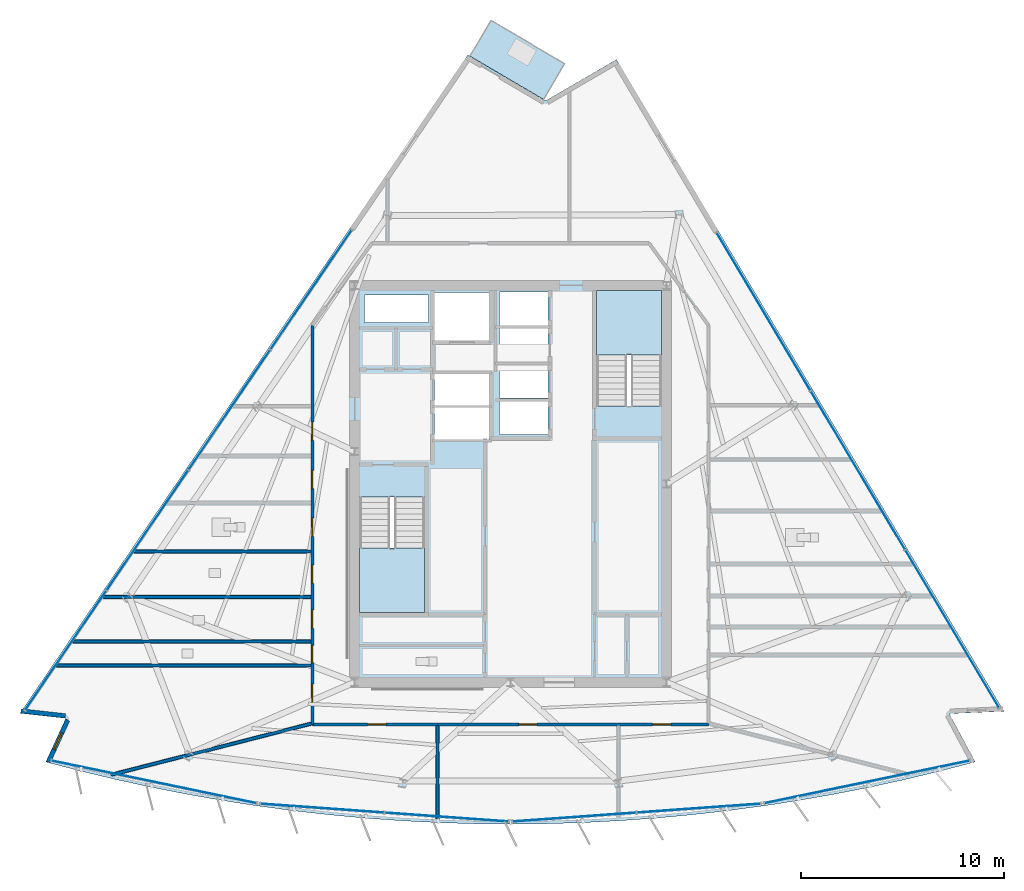
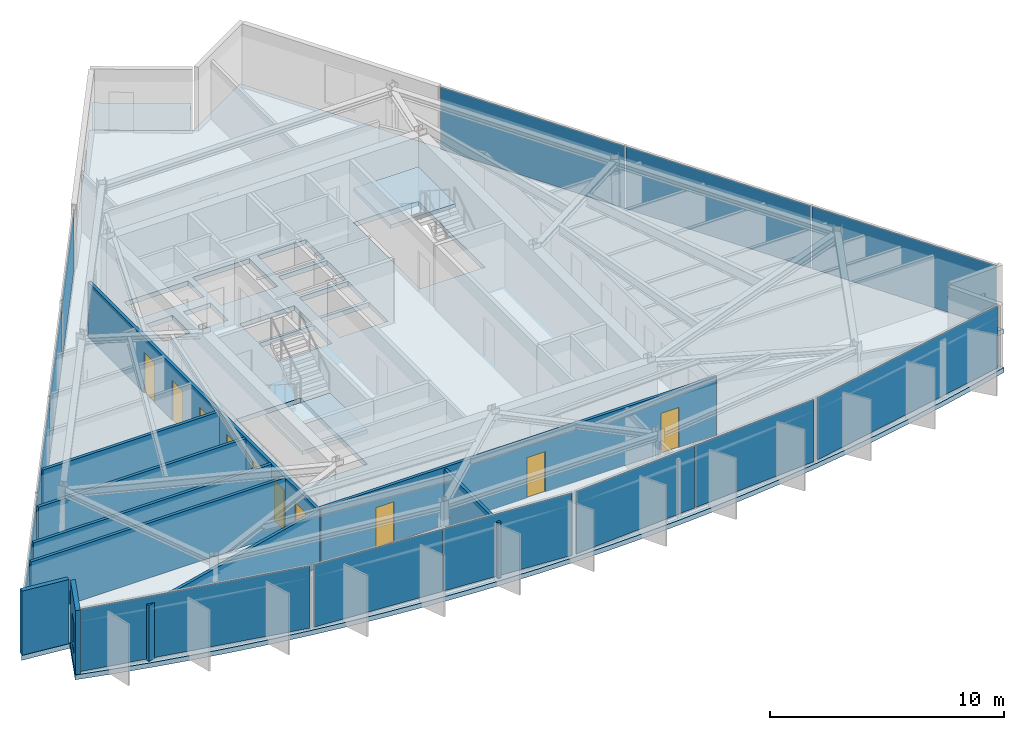
# One storey, part 6 of 13: 13 plates, 10 doors, 10 walls, 4 slabs, 1 window, 11 openings, 8 elements without a shape of their own.
"""IFC4 building model written with IfcOpenShell, lengths in metres."""

from ifc_helpers import new_model, si_unit, direction, frame, frame_2d, origin, origin_2d, place, context, subcontext, project, spatial, polyline, rectangle, outline, extrude, material, layer, layer_set, type_object, element, fill, aggregate, save


model = new_model("IFC4")

# Units and contexts
model_context = context("Model", 3, precision=1e-05, world=origin(), true_north=direction((0.0, 1.0)))
body_context = subcontext(model_context, "Body", "Model", "MODEL_VIEW")
ifc_project = project(units=[si_unit("LENGTHUNIT", "METRE"), si_unit("AREAUNIT", "SQUARE_METRE"), si_unit("VOLUMEUNIT", "CUBIC_METRE"), si_unit("PLANEANGLEUNIT", "RADIAN"), si_unit("MASSUNIT", "GRAM", prefix="KILO")], contexts=[model_context])

# Site, building, storey
site_placement = place(None, origin())
site = spatial("IfcSite", under=ifc_project, at=site_placement, CompositionType="ELEMENT")
building_placement = place(site_placement, origin())
building = spatial("IfcBuilding", under=site, at=building_placement, Name="Savorim Split Tower", CompositionType="ELEMENT")
storey_placement = place(building_placement, frame((0.0, 0.0, 250.800048828125)))
storey = spatial("IfcBuildingStorey", under=building, at=storey_placement, Name="L66", CompositionType="ELEMENT", Elevation=250.800048828125)

# Curtain wall, plate
ifc_material_1 = material(Name="Dark Ceramic-Fritted Insulated Glass", Category="glass")
curtain_wall_type = type_object("IfcCurtainWallType", Name="CW-TWR-FRIT-B", PredefinedType="NOTDEFINED", material=ifc_material_1)
curtain_wall_1_placement = place(storey_placement, origin())
curtain_wall_1 = element("IfcCurtainWall", 1, at=curtain_wall_1_placement, inside=storey, type_object=curtain_wall_type, Name="L66 Curtain Wall CW-L66-SF1", PredefinedType="NOTDEFINED")
ifc_layer_1 = layer(ifc_material_1, 0.02587890625)
ifc_layer_set_1 = layer_set([ifc_layer_1], Name="CWP-FRITB-26")
plate_type = type_object("IfcPlateType", Name="CWP-FRITB-26", PredefinedType="CURTAIN_PANEL", material=ifc_layer_set_1)
plate_1_placement = place(storey_placement, frame((-17.60107421875, -14.31982421875, 0.050048828125), z_axis=(0.0, 0.0, 1.0), x_axis=(0.979135673129, -0.20320761208, 0.0)))
plate_1 = element("IfcPlate", 2, at=plate_1_placement, type_object=plate_type, Name="CW-03 panel 1.1", PredefinedType="CURTAIN_PANEL", context=body_context, shape_type="SweptSolid", body=[
    extrude(rectangle(XDim=10.310302734375, YDim=0.02587890625, at=origin_2d()), origin(), (0.0, 0.0, 1.0), 3.25),
])
aggregate(curtain_wall_1, [plate_1])

# Curtain wall, plates
curtain_wall_2_placement = place(storey_placement, origin())
curtain_wall_2 = element("IfcCurtainWall", 3, at=curtain_wall_2_placement, inside=storey, type_object=curtain_wall_type, Name="L66 Curtain Wall CW-L66-SF2", PredefinedType="NOTDEFINED")
plate_2_placement = place(storey_placement, frame((-9.291748046875, -15.6162109375, 0.050048828125), z_axis=(0.0, 0.0, 1.0), x_axis=(0.997436125678, -0.071562386711, 0.0)))
plate_2 = element("IfcPlate", 4, at=plate_2_placement, type_object=plate_type, Name="CW-03 panel 1.1", PredefinedType="CURTAIN_PANEL", context=body_context, shape_type="SweptSolid", body=[
    extrude(rectangle(XDim=6.09619140625, YDim=0.02587890625, at=origin_2d()), origin(), (0.0, 0.0, 1.0), 3.25),
])
plate_3_placement = place(storey_placement, frame((-3.1513671875, -16.056884765625, 0.050048828125), z_axis=(0.0, 0.0, 1.0), x_axis=(0.997436125678, -0.071562386711, 0.0)))
plate_3 = element("IfcPlate", 5, at=plate_3_placement, type_object=plate_type, Name="CW-03 panel 2.1", PredefinedType="CURTAIN_PANEL", context=body_context, shape_type="SweptSolid", body=[
    extrude(rectangle(XDim=6.09619140625, YDim=0.02587890625, at=origin_2d()), origin(), (0.0, 0.0, 1.0), 3.25),
])
aggregate(curtain_wall_2, [plate_2, plate_3])

curtain_wall_3_placement = place(storey_placement, origin())
curtain_wall_3 = element("IfcCurtainWall", 6, at=curtain_wall_3_placement, inside=storey, type_object=curtain_wall_type, Name="L66 Curtain Wall CW-L66-SF3", PredefinedType="NOTDEFINED")
plate_4_placement = place(storey_placement, frame((3.1513671875, -16.056884765625, 0.050048828125), z_axis=(0.0, 0.0, 1.0), x_axis=(0.997436125678, 0.071562386711, 0.0)))
plate_4 = element("IfcPlate", 7, at=plate_4_placement, type_object=plate_type, Name="CW-03 panel 1.1", PredefinedType="CURTAIN_PANEL", context=body_context, shape_type="SweptSolid", body=[
    extrude(rectangle(XDim=6.09619140625, YDim=0.02587890625, at=origin_2d()), origin(), (0.0, 0.0, 1.0), 3.25),
])
plate_5_placement = place(storey_placement, frame((9.291748046875, -15.6162109375, 0.050048828125), z_axis=(0.0, 0.0, 1.0), x_axis=(0.997436125678, 0.071562386711, 0.0)))
plate_5 = element("IfcPlate", 8, at=plate_5_placement, type_object=plate_type, Name="CW-03 panel 2.1", PredefinedType="CURTAIN_PANEL", context=body_context, shape_type="SweptSolid", body=[
    extrude(rectangle(XDim=6.09619140625, YDim=0.02587890625, at=origin_2d()), origin(), (0.0, 0.0, 1.0), 3.25),
])
aggregate(curtain_wall_3, [plate_4, plate_5])

# Curtain wall, plate
curtain_wall_4_placement = place(storey_placement, origin())
curtain_wall_4 = element("IfcCurtainWall", 9, at=curtain_wall_4_placement, inside=storey, type_object=curtain_wall_type, Name="L66 Curtain Wall CW-L66-SF4", PredefinedType="NOTDEFINED")
plate_6_placement = place(storey_placement, frame((17.60107421875, -14.31982421875, 0.050048828125), z_axis=(0.0, 0.0, 1.0), x_axis=(0.979135673129, 0.20320761208, 0.0)))
plate_6 = element("IfcPlate", 10, at=plate_6_placement, type_object=plate_type, Name="CW-03 panel 1.1", PredefinedType="CURTAIN_PANEL", context=body_context, shape_type="SweptSolid", body=[
    extrude(rectangle(XDim=10.310302734375, YDim=0.02587890625, at=origin_2d()), origin(), (0.0, 0.0, 1.0), 3.25),
])
aggregate(curtain_wall_4, [plate_6])

# Curtain wall, plates
curtain_wall_5_placement = place(storey_placement, origin())
curtain_wall_5 = element("IfcCurtainWall", 11, at=curtain_wall_5_placement, inside=storey, type_object=curtain_wall_type, Name="L66 Curtain Wall CW-L66-EAST", PredefinedType="NOTDEFINED")
plate_7_placement = place(storey_placement, frame((21.8134765625, -6.76904296875, 0.050048828125), z_axis=(0.0, 0.0, 1.0), x_axis=(-0.511090267573, 0.859527043432, 0.0)))
plate_7 = element("IfcPlate", 12, at=plate_7_placement, type_object=plate_type, Name="CW-03 panel 1.1", PredefinedType="CURTAIN_PANEL", context=body_context, shape_type="SweptSolid", body=[
    extrude(rectangle(XDim=9.0380859375, YDim=0.02587890625, at=origin_2d()), origin(), (0.0, 0.0, 1.0), 3.25),
])
plate_8_placement = place(storey_placement, frame((17.15576171875, 1.064208984375, 0.050048828125), z_axis=(0.0, 0.0, 1.0), x_axis=(-0.511090267573, 0.859527043432, 0.0)))
plate_8 = element("IfcPlate", 13, at=plate_8_placement, type_object=plate_type, Name="CW-03 panel 2.1", PredefinedType="CURTAIN_PANEL", context=body_context, shape_type="SweptSolid", body=[
    extrude(rectangle(XDim=9.068115234375, YDim=0.02587890625, at=origin_2d()), origin(), (0.0, 0.0, 1.0), 3.25),
])
plate_9_placement = place(storey_placement, frame((12.498046875, 8.897216796875, 0.050048828125), z_axis=(0.0, 0.0, 1.0), x_axis=(-0.511090267573, 0.859527043432, 0.0)))
plate_9 = element("IfcPlate", 14, at=plate_9_placement, type_object=plate_type, Name="CW-03 panel 3.1", PredefinedType="CURTAIN_PANEL", context=body_context, shape_type="SweptSolid", body=[
    extrude(rectangle(XDim=9.0380859375, YDim=0.02587890625, at=origin_2d()), origin(), (0.0, 0.0, 1.0), 3.25),
])
aggregate(curtain_wall_5, [plate_7, plate_8, plate_9])

curtain_wall_6_placement = place(storey_placement, origin())
curtain_wall_6 = element("IfcCurtainWall", 15, at=curtain_wall_6_placement, inside=storey, type_object=curtain_wall_type, Name="L66 Curtain Wall CW-L66-WEST", PredefinedType="NOTDEFINED")
plate_10_placement = place(storey_placement, frame((-9.847900390625, 9.9853515625, 0.050048828125), z_axis=(0.0, 0.0, 1.0), x_axis=(-0.562470325215, -0.826817472755, 0.0)))
plate_10 = element("IfcPlate", 16, at=plate_10_placement, type_object=plate_type, Name="CW-03 panel 1.1", PredefinedType="CURTAIN_PANEL", context=body_context, shape_type="SweptSolid", body=[
    extrude(rectangle(XDim=7.1015625, YDim=0.02587890625, at=origin_2d()), origin(), (0.0, 0.0, 1.0), 3.25),
])
plate_11_placement = place(storey_placement, frame((-13.884521484375, 4.0517578125, 0.050048828125), z_axis=(0.0, 0.0, 1.0), x_axis=(-0.562470325215, -0.826817472755, 0.0)))
plate_11 = element("IfcPlate", 17, at=plate_11_placement, type_object=plate_type, Name="CW-03 panel 2.1", PredefinedType="CURTAIN_PANEL", context=body_context, shape_type="SweptSolid", body=[
    extrude(rectangle(XDim=7.131591796875, YDim=0.02587890625, at=origin_2d()), origin(), (0.0, 0.0, 1.0), 3.25),
])
plate_12_placement = place(storey_placement, frame((-17.929443359375, -1.894287109375, 0.050048828125), z_axis=(0.0, 0.0, 1.0), x_axis=(-0.562470325215, -0.826817472755, 0.0)))
plate_12 = element("IfcPlate", 18, at=plate_12_placement, type_object=plate_type, Name="CW-03 panel 3.1", PredefinedType="CURTAIN_PANEL", context=body_context, shape_type="SweptSolid", body=[
    extrude(rectangle(XDim=7.131591796875, YDim=0.02587890625, at=origin_2d()), origin(), (0.0, 0.0, 1.0), 3.25),
])
plate_13_placement = place(storey_placement, frame((-21.966064453125, -7.827880859375, 0.050048828125), z_axis=(0.0, 0.0, 1.0), x_axis=(-0.562470325215, -0.826817472755, 0.0)))
plate_13 = element("IfcPlate", 19, at=plate_13_placement, type_object=plate_type, Name="CW-03 panel 4.1", PredefinedType="CURTAIN_PANEL", context=body_context, shape_type="SweptSolid", body=[
    extrude(rectangle(XDim=7.1015625, YDim=0.02587890625, at=origin_2d()), origin(), (0.0, 0.0, 1.0), 3.25),
])
aggregate(curtain_wall_6, [plate_10, plate_11, plate_12, plate_13])

# Slab
ifc_material_2 = material(Name="Concrete C50/60", Category="concrete")
ifc_layer_2 = layer(ifc_material_2, 0.219970703125)
ifc_layer_set_2 = layer_set([ifc_layer_2], Name="SLB-BAL-220")
slab_type_1 = type_object("IfcSlabType", Name="SLB-BAL-220", PredefinedType="FLOOR", material=ifc_layer_set_2)
slab_1_placement = place(storey_placement, frame((0.0, 0.0, -0.219970703125)))
element("IfcSlab", 20, at=slab_1_placement, inside=storey, type_object=slab_type_1, Name="L66 Notched Corner Planted Tree Balcony Slab", PredefinedType="FLOOR", context=body_context, shape_type="SweptSolid", body=[
    extrude(outline(polyline([(-2.001708984375, 21.5205078125), (1.63623046875, 19.38232421875), (2.67236328125, 21.1455078125), (-0.96533203125, 23.283447265625), (-2.001708984375, 21.5205078125)])), origin(), (0.0, 0.0, 1.0), 0.219970703125),
])

# Stair, slab
stair_type = type_object("IfcStairType", Name="STR-DOG-3600", PredefinedType="HALF_TURN_STAIR", material=ifc_material_2)
stair_1_placement = place(storey_placement, origin())
stair_1 = element("IfcStair", 21, at=stair_1_placement, inside=storey, type_object=stair_type, Name="L66 Core Protected Exit Stair ST-1", PredefinedType="HALF_TURN_STAIR")
ifc_layer_3 = layer(ifc_material_2, 0.199951171875)
ifc_layer_set_3 = layer_set([ifc_layer_3], Name="SLB-LND-200")
slab_type_2 = type_object("IfcSlabType", Name="SLB-LND-200", PredefinedType="LANDING", material=ifc_layer_set_3)
slab_2_placement = place(storey_placement, frame((0.0, 0.0, 1.599853515625)))
slab_2 = element("IfcSlab", 22, at=slab_2_placement, type_object=slab_type_2, Name="ST-1 landing 1", PredefinedType="LANDING", context=body_context, shape_type="SweptSolid", body=[
    extrude(outline(polyline([(-7.449951171875, -2.77001953125), (-7.449951171875, -5.949951171875), (-4.25, -5.949951171875), (-4.25, -2.77001953125), (-7.449951171875, -2.77001953125)])), origin(), (0.0, 0.0, 1.0), 0.2001953125),
])
aggregate(stair_1, [slab_2])

stair_2_placement = place(storey_placement, origin())
stair_2 = element("IfcStair", 23, at=stair_2_placement, inside=storey, type_object=stair_type, Name="L66 Core Protected Exit Stair ST-2", PredefinedType="HALF_TURN_STAIR")
slab_3_placement = place(storey_placement, frame((0.0, 0.0, 1.599853515625)))
slab_3 = element("IfcSlab", 24, at=slab_3_placement, type_object=slab_type_2, Name="ST-2 landing 1", PredefinedType="LANDING", context=body_context, shape_type="SweptSolid", body=[
    extrude(outline(polyline([(7.449951171875, 6.77001953125), (7.449951171875, 9.949951171875), (4.25, 9.949951171875), (4.25, 6.77001953125), (7.449951171875, 6.77001953125)])), origin(), (0.0, 0.0, 1.0), 0.2001953125),
])
aggregate(stair_2, [slab_3])

# Slab
ifc_layer_4 = layer(ifc_material_2, 0.25)
ifc_layer_set_4 = layer_set([ifc_layer_4], Name="SLB-TWR-250")
slab_type_3 = type_object("IfcSlabType", Name="SLB-TWR-250", PredefinedType="FLOOR", material=ifc_layer_set_4)
slab_4_placement = place(storey_placement, frame((0.0, 0.0, -0.25)))
element("IfcSlab", 25, at=slab_4_placement, inside=storey, type_object=slab_type_3, Name="L66 Structural Floor Slab", PredefinedType="FLOOR", context=body_context, shape_type="SweptSolid", body=[
    extrude(outline(polyline([(-22.947265625, -13.332763671875), (-21.21923828125, -13.78466796875), (-19.482421875, -14.201171875), (-17.7373046875, -14.58203125), (-15.984619140625, -14.927001953125), (-14.2255859375, -15.236083984375), (-12.46044921875, -15.50927734375), (-10.690185546875, -15.74609375), (-8.915283203125, -15.94677734375), (-7.13671875, -16.111083984375), (-5.35498046875, -16.23876953125), (-3.5712890625, -16.330078125), (-1.785888671875, -16.385009765625), (0.0, -16.4033203125), (1.785888671875, -16.385009765625), (3.5712890625, -16.330078125), (5.35498046875, -16.23876953125), (7.13671875, -16.111083984375), (8.915283203125, -15.94677734375), (10.690185546875, -15.74609375), (12.46044921875, -15.50927734375), (14.2255859375, -15.236083984375), (15.984619140625, -14.927001953125), (17.7373046875, -14.58203125), (19.482421875, -14.201171875), (21.21923828125, -13.78466796875), (22.947265625, -13.332763671875), (21.667236328125, -10.947509765625), (24.369384765625, -10.83251953125), (5.23095703125, 21.353515625), (1.7373046875, 19.317138671875), (-2.107666015625, 21.576904296875), (-24.219970703125, -10.927734375), (-21.958251953125, -11.180419921875), (-22.947265625, -13.332763671875)]), holes=[polyline([(-7.449951171875, -0.25390625), (-7.449951171875, -5.949951171875), (-4.25, -5.949951171875), (-4.25, -0.25390625), (-7.449951171875, -0.25390625)]), polyline([(7.449951171875, 4.25390625), (7.449951171875, 9.949951171875), (4.25, 9.949951171875), (4.25, 4.25390625), (7.449951171875, 4.25390625)]), polyline([(-0.550048828125, 2.830078125), (1.85009765625, 2.830078125), (1.85009765625, 4.469970703125), (-0.550048828125, 4.469970703125), (-0.550048828125, 2.830078125)]), polyline([(-0.550048828125, 4.6298828125), (1.85009765625, 4.6298828125), (1.85009765625, 6.27001953125), (-0.550048828125, 6.27001953125), (-0.550048828125, 4.6298828125)]), polyline([(-0.550048828125, 6.429931640625), (1.85009765625, 6.429931640625), (1.85009765625, 8.070068359375), (-0.550048828125, 8.070068359375), (-0.550048828125, 6.429931640625)]), polyline([(-0.550048828125, 8.22998046875), (1.85009765625, 8.22998046875), (1.85009765625, 9.8701171875), (-0.550048828125, 9.8701171875), (-0.550048828125, 8.22998046875)]), polyline([(-3.75, 2.60009765625), (-1.050048828125, 2.60009765625), (-1.050048828125, 4.159912109375), (-3.75, 4.159912109375), (-3.75, 2.60009765625)]), polyline([(-3.75, 4.280029296875), (-1.050048828125, 4.280029296875), (-1.050048828125, 5.840087890625), (-3.75, 5.840087890625), (-3.75, 4.280029296875)]), polyline([(-3.75, 7.449951171875), (-0.949951171875, 7.449951171875), (-0.949951171875, 9.85009765625), (-3.75, 9.85009765625), (-3.75, 7.449951171875)]), polyline([(-7.219970703125, 6.320068359375), (-5.919921875, 6.320068359375), (-5.919921875, 7.820068359375), (-7.219970703125, 7.820068359375), (-7.219970703125, 6.320068359375)]), polyline([(-5.3798828125, 6.320068359375), (-4.050048828125, 6.320068359375), (-4.050048828125, 7.820068359375), (-5.3798828125, 7.820068359375), (-5.3798828125, 6.320068359375)]), polyline([(-7.219970703125, 8.360107421875), (-4.050048828125, 8.360107421875), (-4.050048828125, 9.719970703125), (-7.219970703125, 9.719970703125), (-7.219970703125, 8.360107421875)])]), origin(), (0.0, 0.0, 1.0), 0.25),
])

# Wall
ifc_material_3 = material(Name="Precast concrete C40/50", Category="concrete")
ifc_layer_5 = layer(ifc_material_3, 0.219970703125)
ifc_layer_set_5 = layer_set([ifc_layer_5], Name="WAL-EXT-CRN220")
wall_type_1 = type_object("IfcWallType", Name="WAL-EXT-CRN220", PredefinedType="SOLIDWALL", material=ifc_layer_set_5)
wall_1_placement = place(storey_placement, frame((-21.984619140625, -11.056640625, 0.0), z_axis=(0.0, 0.0, 1.0), x_axis=(-0.993823926228, 0.110968480463, 0.0)))
element("IfcWall", 26, at=wall_1_placement, inside=storey, type_object=wall_type_1, Name="L66 Notched Corner Facade Wall SW1", PredefinedType="SOLIDWALL", context=body_context, shape_type="SweptSolid", body=[
    extrude(rectangle(XDim=2.19580078125, YDim=0.219970703125, at=frame_2d((1.097900390625, 0.0))), origin(), (0.0, 0.0, 1.0), 3.349853515625),
])

# Wall, opening, window
wall_2_placement = place(storey_placement, frame((-22.821533203125, -13.3466796875, 0.0), z_axis=(0.0, 0.0, 1.0), x_axis=(0.417447808253, 0.908700900949, 0.0)))
wall_2 = element("IfcWall", 27, at=wall_2_placement, inside=storey, type_object=wall_type_1, Name="L66 Notched Corner Facade Wall SW", PredefinedType="SOLIDWALL", context=body_context, shape_type="SweptSolid", body=[
    extrude(rectangle(XDim=2.2890625, YDim=0.219970703125, at=frame_2d((1.14453125, 0.0))), origin(), (0.0, 0.0, 1.0), 3.349853515625),
])
opening_1_placement = place(wall_2_placement, frame((0.694580078125, 0.0, 0.6201171875)))
opening_1 = element("IfcOpeningElement", 28, at=opening_1_placement, cuts=wall_2, Name="Opening WN-10", PredefinedType="OPENING", context=body_context, shape_type="SweptSolid", body=[
    extrude(rectangle(XDim=0.89990234375, YDim=1.60009765625, at=frame_2d((0.449951171875, 0.800048828125))), frame((0.0, 0.119873046875, 0.0), z_axis=(0.0, -1.0, 0.0), x_axis=(1.0, 0.0, 0.0)), (0.0, 0.0, 1.0), 0.239990234375),
])
ifc_material_4 = material(Name="Low-E Operable Double Glazing", Category="glass")
window_type = type_object("IfcWindowType", Name="WIN-TWR-900x1600", PartitioningType="SINGLE_PANEL", PredefinedType="WINDOW", material=ifc_material_4)
window_placement = place(opening_1_placement, origin())
window = element("IfcWindow", 29, at=window_placement, inside=storey, type_object=window_type, Name="L66 Operable Corner Window SW", OverallHeight=1.60009765625, OverallWidth=0.89990234375, PartitioningType="SINGLE_PANEL", PredefinedType="WINDOW", context=body_context, shape_type="SweptSolid", body=[
    extrude(rectangle(XDim=0.89990234375, YDim=1.60009765625, at=frame_2d((0.449951171875, 0.800048828125))), frame((0.0, 0.030029296875, 0.0), z_axis=(0.0, -1.0, 0.0), x_axis=(1.0, 0.0, 0.0)), (0.0, 0.0, 1.0), 0.06005859375),
])
fill(opening_1, window)

# Wall, openings, doors
ifc_material_5 = material(Name="Acoustic Gypsum Partition Board")
ifc_layer_6 = layer(ifc_material_5, 0.14990234375)
ifc_layer_set_6 = layer_set([ifc_layer_6], Name="WAL-PAR-150")
wall_type_2 = type_object("IfcWallType", Name="WAL-PAR-150", PredefinedType="PARTITIONING", material=ifc_layer_set_6)
wall_3_placement = place(storey_placement, frame((-9.780029296875, -11.47998046875, 0.0), z_axis=(0.0, 0.0, 1.0), x_axis=(0.0, 1.0, 0.0)))
wall_3 = element("IfcWall", 30, at=wall_3_placement, inside=storey, type_object=wall_type_2, Name="L66 Partition W-L66-COR-01", PredefinedType="PARTITIONING", context=body_context, shape_type="SweptSolid", body=[
    extrude(rectangle(XDim=19.705810546875, YDim=0.14990234375, at=frame_2d((9.85302734375, 0.0))), origin(), (0.0, 0.0, 1.0), 2.875),
])
opening_2_placement = place(wall_3_placement, frame((9.285888671875, 0.0, 0.0)))
opening_2 = element("IfcOpeningElement", 31, at=opening_2_placement, cuts=wall_3, Name="Opening DI-11", PredefinedType="OPENING", context=body_context, shape_type="SweptSolid", body=[
    extrude(rectangle(XDim=0.89990234375, YDim=2.10009765625, at=frame_2d((0.449951171875, 1.050048828125))), frame((0.0, 0.0849609375, 0.0), z_axis=(0.0, -1.0, 0.0), x_axis=(1.0, 0.0, 0.0)), (0.0, 0.0, 1.0), 0.169921875),
])
opening_3_placement = place(wall_3_placement, frame((6.968505859375, 0.0, 0.0)))
opening_3 = element("IfcOpeningElement", 32, at=opening_3_placement, cuts=wall_3, Name="Opening DI-06", PredefinedType="OPENING", context=body_context, shape_type="SweptSolid", body=[
    extrude(rectangle(XDim=0.89990234375, YDim=2.10009765625, at=frame_2d((0.449951171875, 1.050048828125))), frame((0.0, 0.0849609375, 0.0), z_axis=(0.0, -1.0, 0.0), x_axis=(1.0, 0.0, 0.0)), (0.0, 0.0, 1.0), 0.169921875),
])
opening_4_placement = place(wall_3_placement, frame((4.7431640625, 0.0, 0.0)))
opening_4 = element("IfcOpeningElement", 33, at=opening_4_placement, cuts=wall_3, Name="Opening DI-06", PredefinedType="OPENING", context=body_context, shape_type="SweptSolid", body=[
    extrude(rectangle(XDim=0.89990234375, YDim=2.10009765625, at=frame_2d((0.449951171875, 1.050048828125))), frame((0.0, 0.0849609375, 0.0), z_axis=(0.0, -1.0, 0.0), x_axis=(1.0, 0.0, 0.0)), (0.0, 0.0, 1.0), 0.169921875),
])
opening_5_placement = place(wall_3_placement, frame((3.050537109375, 0.0, 0.0)))
opening_5 = element("IfcOpeningElement", 34, at=opening_5_placement, cuts=wall_3, Name="Opening DI-13", PredefinedType="OPENING", context=body_context, shape_type="SweptSolid", body=[
    extrude(rectangle(XDim=0.85009765625, YDim=2.10009765625, at=frame_2d((0.425048828125, 1.050048828125))), frame((0.0, 0.0849609375, 0.0), z_axis=(0.0, -1.0, 0.0), x_axis=(1.0, 0.0, 0.0)), (0.0, 0.0, 1.0), 0.169921875),
])
opening_6_placement = place(wall_3_placement, frame((1.094970703125, 0.0, 0.0)))
opening_6 = element("IfcOpeningElement", 35, at=opening_6_placement, cuts=wall_3, Name="Opening DI-06", PredefinedType="OPENING", context=body_context, shape_type="SweptSolid", body=[
    extrude(rectangle(XDim=0.89990234375, YDim=2.10009765625, at=frame_2d((0.449951171875, 1.050048828125))), frame((0.0, 0.0849609375, 0.0), z_axis=(0.0, -1.0, 0.0), x_axis=(1.0, 0.0, 0.0)), (0.0, 0.0, 1.0), 0.169921875),
])
opening_7_placement = place(wall_3_placement, frame((14.0302734375, 0.0, 0.0)))
opening_7 = element("IfcOpeningElement", 36, at=opening_7_placement, cuts=wall_3, Name="Opening DI-06", PredefinedType="OPENING", context=body_context, shape_type="SweptSolid", body=[
    extrude(rectangle(XDim=0.89990234375, YDim=2.10009765625, at=frame_2d((0.449951171875, 1.050048828125))), frame((0.0, 0.0849609375, 0.0), z_axis=(0.0, -1.0, 0.0), x_axis=(1.0, 0.0, 0.0)), (0.0, 0.0, 1.0), 0.169921875),
])
opening_8_placement = place(wall_3_placement, frame((11.639892578125, 0.0, 0.0)))
opening_8 = element("IfcOpeningElement", 37, at=opening_8_placement, cuts=wall_3, Name="Opening DI-06", PredefinedType="OPENING", context=body_context, shape_type="SweptSolid", body=[
    extrude(rectangle(XDim=0.89990234375, YDim=2.10009765625, at=frame_2d((0.449951171875, 1.050048828125))), frame((0.0, 0.0849609375, 0.0), z_axis=(0.0, -1.0, 0.0), x_axis=(1.0, 0.0, 0.0)), (0.0, 0.0, 1.0), 0.169921875),
])
ifc_material_6 = material(Name="Timber Fire Door Leaf", Category="wood")
door_type_1 = type_object("IfcDoorType", Name="DOR-FIR-850", OperationType="NOTDEFINED", PredefinedType="DOOR", material=ifc_material_6)
door_1_placement = place(opening_5_placement, origin())
door_1 = element("IfcDoor", 38, at=door_1_placement, inside=storey, type_object=door_type_1, Name="DR-L66-RM04 - L66 Community Laundry Room Entry Door", OperationType="SINGLE_SWING_LEFT", OverallHeight=2.10009765625, OverallWidth=0.85009765625, PredefinedType="DOOR", context=body_context, shape_type="SweptSolid", body=[
    extrude(rectangle(XDim=0.85009765625, YDim=2.10009765625, at=frame_2d((0.425048828125, 1.050048828125))), frame((0.0, 0.02490234375, 0.0), z_axis=(0.0, -1.0, 0.0), x_axis=(1.0, 0.0, 0.0)), (0.0, 0.0, 1.0), 0.050048828125),
])
fill(opening_5, door_1)
door_type_2 = type_object("IfcDoorType", Name="DOR-FIR-900", OperationType="NOTDEFINED", PredefinedType="DOOR", material=ifc_material_6)
door_2_placement = place(opening_3_placement, origin())
door_2 = element("IfcDoor", 39, at=door_2_placement, inside=storey, type_object=door_type_2, Name="DR-L66-RM02 - L66 Shared Kitchen Entry Door", OperationType="SINGLE_SWING_LEFT", OverallHeight=2.10009765625, OverallWidth=0.89990234375, PredefinedType="DOOR", context=body_context, shape_type="SweptSolid", body=[
    extrude(rectangle(XDim=0.89990234375, YDim=2.10009765625, at=frame_2d((0.449951171875, 1.050048828125))), frame((0.0, 0.02490234375, 0.0), z_axis=(0.0, -1.0, 0.0), x_axis=(1.0, 0.0, 0.0)), (0.0, 0.0, 1.0), 0.050048828125),
])
fill(opening_3, door_2)
door_3_placement = place(opening_4_placement, origin())
door_3 = element("IfcDoor", 40, at=door_3_placement, inside=storey, type_object=door_type_2, Name="DR-L66-RM03 - L66 Shared Kitchen Entry Door", OperationType="SINGLE_SWING_RIGHT", OverallHeight=2.10009765625, OverallWidth=0.89990234375, PredefinedType="DOOR", context=body_context, shape_type="SweptSolid", body=[
    extrude(rectangle(XDim=0.89990234375, YDim=2.10009765625, at=frame_2d((0.449951171875, 1.050048828125))), frame((0.0, 0.02490234375, 0.0), z_axis=(0.0, -1.0, 0.0), x_axis=(1.0, 0.0, 0.0)), (0.0, 0.0, 1.0), 0.050048828125),
])
fill(opening_4, door_3)
door_4_placement = place(opening_6_placement, origin())
door_4 = element("IfcDoor", 41, at=door_4_placement, inside=storey, type_object=door_type_2, Name="DR-L66-RM05 - L66 Co-Working Commons Entry Door", OperationType="SINGLE_SWING_RIGHT", OverallHeight=2.10009765625, OverallWidth=0.89990234375, PredefinedType="DOOR", context=body_context, shape_type="SweptSolid", body=[
    extrude(rectangle(XDim=0.89990234375, YDim=2.10009765625, at=frame_2d((0.449951171875, 1.050048828125))), frame((0.0, 0.02490234375, 0.0), z_axis=(0.0, -1.0, 0.0), x_axis=(1.0, 0.0, 0.0)), (0.0, 0.0, 1.0), 0.050048828125),
])
fill(opening_6, door_4)
door_5_placement = place(opening_7_placement, origin())
door_5 = element("IfcDoor", 42, at=door_5_placement, inside=storey, type_object=door_type_2, Name="DR-L66-RM19 - L66 Co-Living Bedroom Entry Door", OperationType="SINGLE_SWING_RIGHT", OverallHeight=2.10009765625, OverallWidth=0.89990234375, PredefinedType="DOOR", context=body_context, shape_type="SweptSolid", body=[
    extrude(rectangle(XDim=0.89990234375, YDim=2.10009765625, at=frame_2d((0.449951171875, 1.050048828125))), frame((0.0, 0.02490234375, 0.0), z_axis=(0.0, -1.0, 0.0), x_axis=(1.0, 0.0, 0.0)), (0.0, 0.0, 1.0), 0.050048828125),
])
fill(opening_7, door_5)
door_6_placement = place(opening_8_placement, origin())
door_6 = element("IfcDoor", 43, at=door_6_placement, inside=storey, type_object=door_type_2, Name="DR-L66-RM20 - L66 Quiet Study Room Entry Door", OperationType="SINGLE_SWING_LEFT", OverallHeight=2.10009765625, OverallWidth=0.89990234375, PredefinedType="DOOR", context=body_context, shape_type="SweptSolid", body=[
    extrude(rectangle(XDim=0.89990234375, YDim=2.10009765625, at=frame_2d((0.449951171875, 1.050048828125))), frame((0.0, 0.02490234375, 0.0), z_axis=(0.0, -1.0, 0.0), x_axis=(1.0, 0.0, 0.0)), (0.0, 0.0, 1.0), 0.050048828125),
])
fill(opening_8, door_6)
ifc_material_7 = material(Name="Oak Veneer Acoustic Door")
door_type_3 = type_object("IfcDoorType", Name="DOR-WC-900", OperationType="NOTDEFINED", PredefinedType="DOOR", material=ifc_material_7)
door_7_placement = place(opening_2_placement, origin())
door_7 = element("IfcDoor", 44, at=door_7_placement, inside=storey, type_object=door_type_3, Name="DR-L66-RM01 - L66 Shared Bathroom Entry Door", OperationType="SINGLE_SWING_RIGHT", OverallHeight=2.10009765625, OverallWidth=0.89990234375, PredefinedType="DOOR", context=body_context, shape_type="SweptSolid", body=[
    extrude(rectangle(XDim=0.89990234375, YDim=2.10009765625, at=frame_2d((0.449951171875, 1.050048828125))), frame((0.0, 0.02490234375, 0.0), z_axis=(0.0, -1.0, 0.0), x_axis=(1.0, 0.0, 0.0)), (0.0, 0.0, 1.0), 0.050048828125),
])
fill(opening_2, door_7)

wall_4_placement = place(storey_placement, frame((9.780029296875, -11.47998046875, 0.0), z_axis=(0.0, 0.0, 1.0), x_axis=(-1.0, 0.0, 0.0)))
wall_4 = element("IfcWall", 45, at=wall_4_placement, inside=storey, type_object=wall_type_2, Name="L66 Partition W-L66-COR-06", PredefinedType="PARTITIONING", context=body_context, shape_type="SweptSolid", body=[
    extrude(rectangle(XDim=19.56005859375, YDim=0.14990234375, at=frame_2d((9.780029296875, 0.0))), origin(), (0.0, 0.0, 1.0), 3.02490234375),
])
opening_9_placement = place(wall_4_placement, frame((15.935546875, 0.0, 0.0)))
opening_9 = element("IfcOpeningElement", 46, at=opening_9_placement, cuts=wall_4, Name="Opening DI-06", PredefinedType="OPENING", context=body_context, shape_type="SweptSolid", body=[
    extrude(rectangle(XDim=0.89990234375, YDim=2.10009765625, at=frame_2d((0.449951171875, 1.050048828125))), frame((0.0, 0.0849609375, 0.0), z_axis=(0.0, -1.0, 0.0), x_axis=(1.0, 0.0, 0.0)), (0.0, 0.0, 1.0), 0.169921875),
])
opening_10_placement = place(wall_4_placement, frame((8.4716796875, 0.0, 0.0)))
opening_10 = element("IfcOpeningElement", 47, at=opening_10_placement, cuts=wall_4, Name="Opening DI-06", PredefinedType="OPENING", context=body_context, shape_type="SweptSolid", body=[
    extrude(rectangle(XDim=0.89990234375, YDim=2.10009765625, at=frame_2d((0.449951171875, 1.050048828125))), frame((0.0, 0.0849609375, 0.0), z_axis=(0.0, -1.0, 0.0), x_axis=(1.0, 0.0, 0.0)), (0.0, 0.0, 1.0), 0.169921875),
])
opening_11_placement = place(wall_4_placement, frame((1.8662109375, 0.0, 0.0)))
opening_11 = element("IfcOpeningElement", 48, at=opening_11_placement, cuts=wall_4, Name="Opening DI-06", PredefinedType="OPENING", context=body_context, shape_type="SweptSolid", body=[
    extrude(rectangle(XDim=0.89990234375, YDim=2.10009765625, at=frame_2d((0.449951171875, 1.050048828125))), frame((0.0, 0.0849609375, 0.0), z_axis=(0.0, -1.0, 0.0), x_axis=(1.0, 0.0, 0.0)), (0.0, 0.0, 1.0), 0.169921875),
])
door_8_placement = place(opening_9_placement, origin())
door_8 = element("IfcDoor", 49, at=door_8_placement, inside=storey, type_object=door_type_2, Name="DR-L66-RM06 - L66 Maker Workshop Entry Door", OperationType="SINGLE_SWING_LEFT", OverallHeight=2.10009765625, OverallWidth=0.89990234375, PredefinedType="DOOR", context=body_context, shape_type="SweptSolid", body=[
    extrude(rectangle(XDim=0.89990234375, YDim=2.10009765625, at=frame_2d((0.449951171875, 1.050048828125))), frame((0.0, 0.02490234375, 0.0), z_axis=(0.0, -1.0, 0.0), x_axis=(1.0, 0.0, 0.0)), (0.0, 0.0, 1.0), 0.050048828125),
])
fill(opening_9, door_8)
door_9_placement = place(opening_10_placement, origin())
door_9 = element("IfcDoor", 50, at=door_9_placement, inside=storey, type_object=door_type_2, Name="DR-L66-RM07 - L66 Co-Working Commons Entry Door", OperationType="SINGLE_SWING_RIGHT", OverallHeight=2.10009765625, OverallWidth=0.89990234375, PredefinedType="DOOR", context=body_context, shape_type="SweptSolid", body=[
    extrude(rectangle(XDim=0.89990234375, YDim=2.10009765625, at=frame_2d((0.449951171875, 1.050048828125))), frame((0.0, 0.02490234375, 0.0), z_axis=(0.0, -1.0, 0.0), x_axis=(1.0, 0.0, 0.0)), (0.0, 0.0, 1.0), 0.050048828125),
])
fill(opening_10, door_9)
door_10_placement = place(opening_11_placement, origin())
door_10 = element("IfcDoor", 51, at=door_10_placement, inside=storey, type_object=door_type_2, Name="DR-L66-RM08 - L66 Maker Workshop Entry Door", OperationType="SINGLE_SWING_LEFT", OverallHeight=2.10009765625, OverallWidth=0.89990234375, PredefinedType="DOOR", context=body_context, shape_type="SweptSolid", body=[
    extrude(rectangle(XDim=0.89990234375, YDim=2.10009765625, at=frame_2d((0.449951171875, 1.050048828125))), frame((0.0, 0.02490234375, 0.0), z_axis=(0.0, -1.0, 0.0), x_axis=(1.0, 0.0, 0.0)), (0.0, 0.0, 1.0), 0.050048828125),
])
fill(opening_11, door_10)

# Walls
wall_5_placement = place(storey_placement, frame((-9.83349609375, -11.440673828125, 0.0), z_axis=(0.0, 0.0, 1.0), x_axis=(-0.968857431137, -0.247619220033, 0.0)))
element("IfcWall", 52, at=wall_5_placement, inside=storey, type_object=wall_type_2, Name="L66 Partition W-L66-PRAD01", PredefinedType="PARTITIONING", context=body_context, shape_type="SweptSolid", body=[
    extrude(rectangle(XDim=10.20849609375, YDim=0.14990234375, at=frame_2d((5.104248046875, 0.0))), origin(), (0.0, 0.0, 1.0), 2.925048828125),
])
wall_6_placement = place(storey_placement, frame((-9.840087890625, -5.18359375, 0.0), z_axis=(0.0, 0.0, 1.0), x_axis=(-1.0, 0.0, 0.0)))
element("IfcWall", 53, at=wall_6_placement, inside=storey, type_object=wall_type_2, Name="L66 Partition W-L66-PRAD10", PredefinedType="PARTITIONING", context=body_context, shape_type="SweptSolid", body=[
    extrude(rectangle(XDim=10.2666015625, YDim=0.14990234375, at=frame_2d((5.13330078125, 0.0))), origin(), (0.0, 0.0, 1.0), 2.875),
])
wall_7_placement = place(storey_placement, frame((-9.840087890625, -8.568603515625, 0.0), z_axis=(0.0, 0.0, 1.0), x_axis=(-1.0, 0.0, 0.0)))
element("IfcWall", 54, at=wall_7_placement, inside=storey, type_object=wall_type_2, Name="L66 Partition W-L66-SUB02", PredefinedType="PARTITIONING", context=body_context, shape_type="SweptSolid", body=[
    extrude(rectangle(XDim=12.5693359375, YDim=0.14990234375, at=frame_2d((6.28466796875, 0.0))), origin(), (0.0, 0.0, 1.0), 2.875),
])
wall_8_placement = place(storey_placement, frame((-9.840087890625, -2.939208984375, 0.0), z_axis=(0.0, 0.0, 1.0), x_axis=(-1.0, 0.0, 0.0)))
element("IfcWall", 55, at=wall_8_placement, inside=storey, type_object=wall_type_2, Name="L66 Partition W-L66-SUB05", PredefinedType="PARTITIONING", context=body_context, shape_type="SweptSolid", body=[
    extrude(rectangle(XDim=8.73974609375, YDim=0.14990234375, at=frame_2d((4.369873046875, 0.0))), origin(), (0.0, 0.0, 1.0), 2.925048828125),
])
wall_9_placement = place(storey_placement, frame((-9.840087890625, -7.39013671875, 0.0), z_axis=(0.0, 0.0, 1.0), x_axis=(-1.0, 0.0, 0.0)))
element("IfcWall", 56, at=wall_9_placement, inside=storey, type_object=wall_type_2, Name="L66 Partition W-L66-SUB06", PredefinedType="PARTITIONING", context=body_context, shape_type="SweptSolid", body=[
    extrude(rectangle(XDim=11.767822265625, YDim=0.14990234375, at=frame_2d((5.8837890625, 0.0))), origin(), (0.0, 0.0, 1.0), 2.875),
])
wall_10_placement = place(storey_placement, frame((-3.609375, -11.5400390625, 0.0), z_axis=(0.0, 0.0, 1.0), x_axis=(0.0, -1.0, 0.0)))
element("IfcWall", 57, at=wall_10_placement, inside=storey, type_object=wall_type_2, Name="L66 Partition W-L66-SUB07", PredefinedType="PARTITIONING", context=body_context, shape_type="SweptSolid", body=[
    extrude(rectangle(XDim=4.617919921875, YDim=0.14990234375, at=frame_2d((2.30908203125, 0.0))), origin(), (0.0, 0.0, 1.0), 2.925048828125),
])

save(model, "model.ifc")
